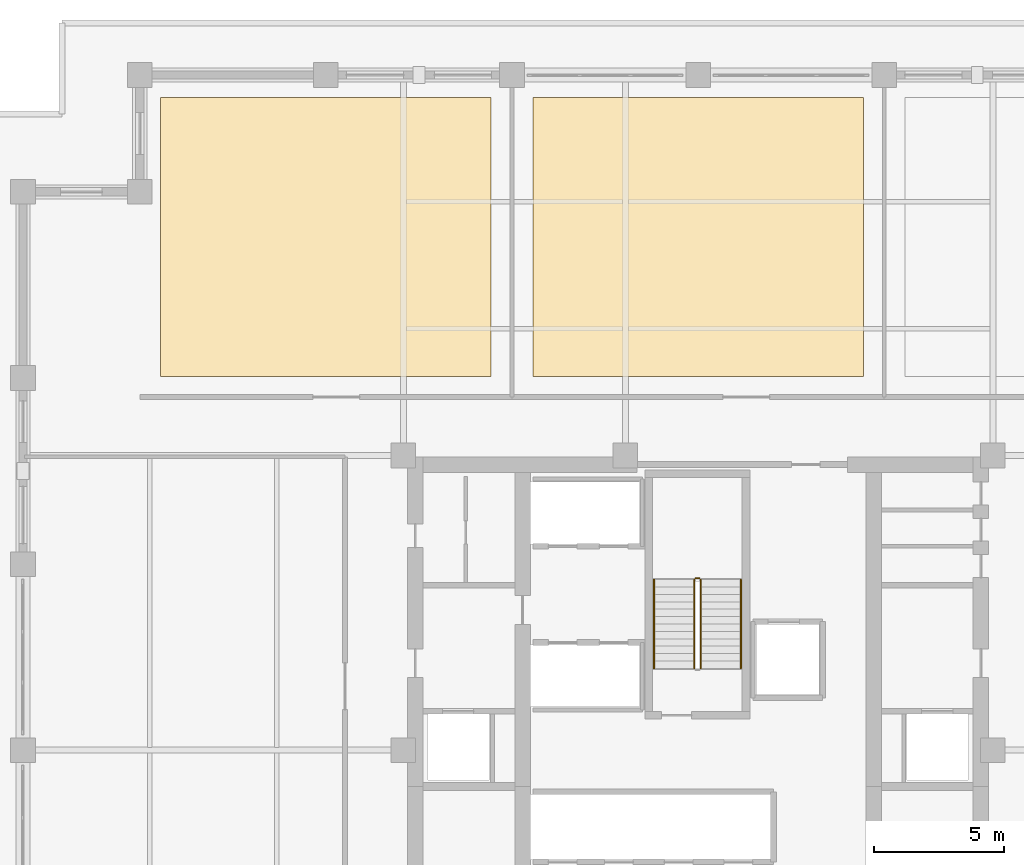
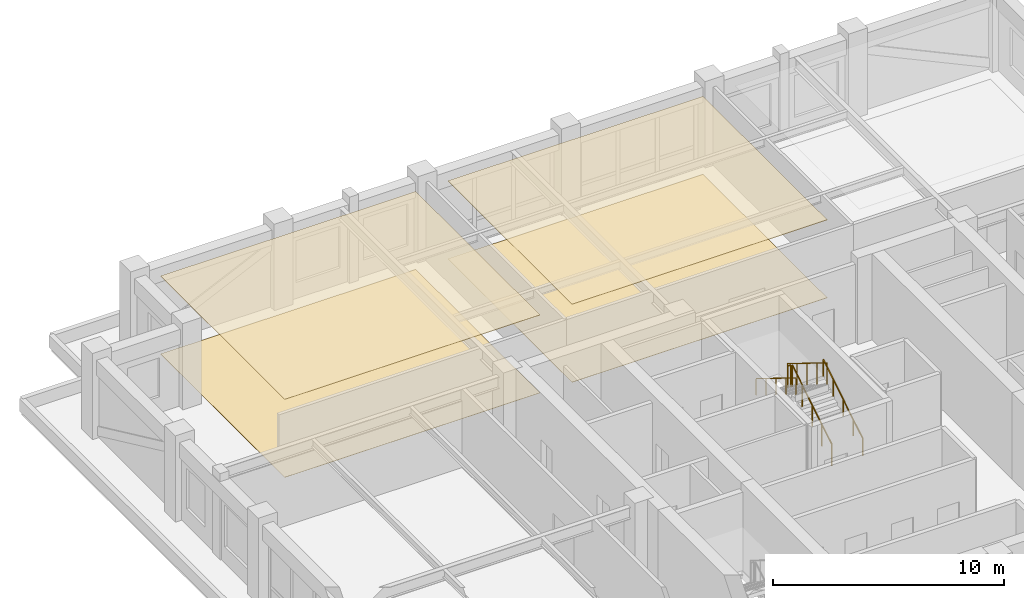
# One storey, part 15 of 16: 5 railings, 4 coverings.
"""IFC4 building model written with IfcOpenShell, lengths in metres."""

from ifc_helpers import new_model, si_unit, direction, frame, origin, origin_2d, place, context, subcontext, project, spatial, polyline, circle, outline, extrude, material, layer, layer_set, type_object, element, save


model = new_model("IFC4")

# Units and contexts
model_context = context("Model", 3, precision=1e-05, world=origin(), true_north=direction((0.0, 1.0)))
body_context = subcontext(model_context, "Body", "Model", "MODEL_VIEW")
ifc_project = project(units=[si_unit("LENGTHUNIT", "METRE"), si_unit("AREAUNIT", "SQUARE_METRE"), si_unit("VOLUMEUNIT", "CUBIC_METRE"), si_unit("PLANEANGLEUNIT", "RADIAN"), si_unit("MASSUNIT", "GRAM", prefix="KILO")], contexts=[model_context])

# Site, building, storey
site_placement = place(None, origin())
site = spatial("IfcSite", under=ifc_project, at=site_placement, CompositionType="ELEMENT")
building_placement = place(site_placement, origin())
building = spatial("IfcBuilding", under=site, at=building_placement, Name="Nhamokura Convention Tower", CompositionType="ELEMENT")
storey_placement = place(building_placement, frame((0.0, 0.0, 106.050048828125)))
storey = spatial("IfcBuildingStorey", under=building, at=storey_placement, Name="L25", CompositionType="ELEMENT", Elevation=106.050048828125)

# Coverings
ifc_material_1 = material(Name="Mineral-fibre acoustic ceiling tile", Category="gypsum")
ifc_layer_1 = layer(ifc_material_1, 0.02490234375)
ifc_layer_set_1 = layer_set([ifc_layer_1], Name="AcousticTileCeiling_25")
covering_type_1 = type_object("IfcCoveringType", Name="AcousticTileCeiling_25", PredefinedType="CEILING", material=ifc_layer_set_1)
covering_1_placement = place(storey_placement, frame((0.0, 0.0, 4.10498046875)))
element("IfcCovering", 1, at=covering_1_placement, inside=storey, type_object=covering_type_1, Name="L25 Suspended Ceiling 04", PredefinedType="CEILING", context=body_context, shape_type="SweptSolid", body=[
    extrude(outline(polyline([(11.300048828125, 46.39990234375), (24.033203125, 46.39990234375), (24.033203125, 57.139892578125), (11.300048828125, 57.139892578125), (11.300048828125, 46.39990234375)])), origin(), (0.0, 0.0, 1.0), 0.02490234375),
])
covering_2_placement = place(storey_placement, frame((0.0, 0.0, 4.10498046875)))
element("IfcCovering", 2, at=covering_2_placement, inside=storey, type_object=covering_type_1, Name="L25 Suspended Ceiling 05", PredefinedType="CEILING", context=body_context, shape_type="SweptSolid", body=[
    extrude(outline(polyline([(25.63330078125, 46.39990234375), (38.36669921875, 46.39990234375), (38.36669921875, 57.139892578125), (25.63330078125, 57.139892578125), (25.63330078125, 46.39990234375)])), origin(), (0.0, 0.0, 1.0), 0.02490234375),
])

# Railings
ifc_material_2 = material(Name="Anodised bronze stainless steel", Category="steel")
railing_type_1 = type_object("IfcRailingType", Name="StairWallHandrail_900", PredefinedType="HANDRAIL", material=ifc_material_2)
railing_1_placement = place(storey_placement, frame((33.64990234375, 35.14990234375, 0.175048828125)))
element("IfcRailing", 3, at=railing_1_placement, inside=storey, type_object=railing_type_1, Name="L25 ST-03 stair handrail 1", PredefinedType="HANDRAIL", context=body_context, shape_type="SweptSolid", body=[
    extrude(circle(Radius=0.02392578125, at=origin_2d()), frame((0.0, 0.0, 0.8759765625), z_axis=(0.0, 0.852198826108, 0.523218081473), x_axis=(-1.0, 0.0, 0.0)), (0.0, 0.0, 1.0), 4.013427734375),
    extrude(circle(Radius=0.02099609375, at=origin_2d()), origin(), (0.0, 0.0, 1.0), 0.851806640625),
    extrude(circle(Radius=0.02099609375, at=origin_2d()), frame((0.0, 0.85498046875, 0.52490234375)), (0.0, 0.0, 1.0), 0.851806640625),
    extrude(circle(Radius=0.02099609375, at=origin_2d()), frame((0.0, 1.7099609375, 1.0498046875)), (0.0, 0.0, 1.0), 0.851806640625),
    extrude(circle(Radius=0.02099609375, at=origin_2d()), frame((0.0, 2.565185546875, 1.574951171875)), (0.0, 0.0, 1.0), 0.851806640625),
    extrude(circle(Radius=0.02099609375, at=origin_2d()), frame((0.0, 3.420166015625, 2.099853515625)), (0.0, 0.0, 1.0), 0.851806640625),
])
railing_2_placement = place(storey_placement, frame((30.300048828125, 38.570068359375, 2.449951171875)))
element("IfcRailing", 4, at=railing_2_placement, inside=storey, type_object=railing_type_1, Name="L25 ST-03 stair handrail 2", PredefinedType="HANDRAIL", context=body_context, shape_type="SweptSolid", body=[
    extrude(circle(Radius=0.02392578125, at=origin_2d()), frame((0.0, 0.0, 0.8759765625), z_axis=(0.0, -0.852171701593, 0.523262258341), x_axis=(1.0, 0.0, 0.0)), (0.0, 0.0, 1.0), 4.013427734375),
    extrude(circle(Radius=0.02099609375, at=origin_2d()), origin(), (0.0, 0.0, 1.0), 0.851806640625),
    extrude(circle(Radius=0.02099609375, at=origin_2d()), frame((0.0, -0.85498046875, 0.52490234375)), (0.0, 0.0, 1.0), 0.851806640625),
    extrude(circle(Radius=0.02099609375, at=origin_2d()), frame((0.0, -1.7099609375, 1.050048828125)), (0.0, 0.0, 1.0), 0.851806640625),
    extrude(circle(Radius=0.02099609375, at=origin_2d()), frame((0.0, -2.565185546875, 1.5751953125)), (0.0, 0.0, 1.0), 0.851806640625),
    extrude(circle(Radius=0.02099609375, at=origin_2d()), frame((0.0, -3.420166015625, 2.10009765625)), (0.0, 0.0, 1.0), 0.851806640625),
])
ifc_material_3 = material(Name="Painted tubular steel", Category="steel")
railing_type_2 = type_object("IfcRailingType", Name="StairWellGuardrail_1150", PredefinedType="GUARDRAIL", material=ifc_material_3)
railing_3_placement = place(storey_placement, frame((32.10009765625, 35.14990234375, 0.175048828125)))
element("IfcRailing", 5, at=railing_3_placement, inside=storey, type_object=railing_type_2, Name="L25 ST-03 stair guard 1", PredefinedType="GUARDRAIL", context=body_context, shape_type="SweptSolid", body=[
    extrude(circle(Radius=0.02392578125, at=origin_2d()), frame((0.0, 0.0, 1.1259765625), z_axis=(0.0, 0.852198826108, 0.523218081473), x_axis=(-1.0, 0.0, 0.0)), (0.0, 0.0, 1.0), 4.013427734375),
    extrude(circle(Radius=0.02099609375, at=origin_2d()), origin(), (0.0, 0.0, 1.0), 1.101806640625),
    extrude(circle(Radius=0.02099609375, at=origin_2d()), frame((0.0, 0.85498046875, 0.52490234375)), (0.0, 0.0, 1.0), 1.101806640625),
    extrude(circle(Radius=0.02099609375, at=origin_2d()), frame((0.0, 1.7099609375, 1.0498046875)), (0.0, 0.0, 1.0), 1.101806640625),
    extrude(circle(Radius=0.02099609375, at=origin_2d()), frame((0.0, 2.565185546875, 1.574951171875)), (0.0, 0.0, 1.0), 1.101806640625),
    extrude(circle(Radius=0.02099609375, at=origin_2d()), frame((0.0, 3.420166015625, 2.099853515625)), (0.0, 0.0, 1.0), 1.101806640625),
])
railing_4_placement = place(storey_placement, frame((32.050048828125, 38.6201171875, 2.27490234375)))
element("IfcRailing", 6, at=railing_4_placement, inside=storey, type_object=railing_type_2, Name="L25 ST-03 stair guard 2", PredefinedType="GUARDRAIL", context=body_context, shape_type="SweptSolid", body=[
    extrude(circle(Radius=0.02392578125, at=origin_2d()), frame((0.0, 0.0, 1.1259765625), z_axis=(-1.0, 0.0, 0.0), x_axis=(0.0, -1.0, 0.0)), (0.0, 0.0, 1.0), 0.150146484375),
    extrude(circle(Radius=0.02099609375, at=origin_2d()), origin(), (0.0, 0.0, 1.0), 1.101806640625),
    extrude(circle(Radius=0.02099609375, at=origin_2d()), frame((-0.150146484375, 0.0, 0.0)), (0.0, 0.0, 1.0), 1.101806640625),
])
railing_5_placement = place(storey_placement, frame((31.85009765625, 38.570068359375, 2.449951171875)))
element("IfcRailing", 7, at=railing_5_placement, inside=storey, type_object=railing_type_2, Name="L25 ST-03 stair guard 3", PredefinedType="GUARDRAIL", context=body_context, shape_type="SweptSolid", body=[
    extrude(circle(Radius=0.02392578125, at=origin_2d()), frame((0.0, 0.0, 1.1259765625), z_axis=(0.0, -0.852171701593, 0.523262258341), x_axis=(1.0, 0.0, 0.0)), (0.0, 0.0, 1.0), 4.013427734375),
    extrude(circle(Radius=0.02099609375, at=origin_2d()), origin(), (0.0, 0.0, 1.0), 1.101806640625),
    extrude(circle(Radius=0.02099609375, at=origin_2d()), frame((0.0, -0.85498046875, 0.52490234375)), (0.0, 0.0, 1.0), 1.101806640625),
    extrude(circle(Radius=0.02099609375, at=origin_2d()), frame((0.0, -1.7099609375, 1.050048828125)), (0.0, 0.0, 1.0), 1.101806640625),
    extrude(circle(Radius=0.02099609375, at=origin_2d()), frame((0.0, -2.565185546875, 1.5751953125)), (0.0, 0.0, 1.0), 1.101806640625),
    extrude(circle(Radius=0.02099609375, at=origin_2d()), frame((0.0, -3.420166015625, 2.10009765625)), (0.0, 0.0, 1.0), 1.101806640625),
])

# Coverings
ifc_material_4 = material(Name="Acoustic woven hospitality carpet", Category="wood")
ifc_layer_2 = layer(ifc_material_4, 0.014892578125)
ifc_layer_set_2 = layer_set([ifc_layer_2], Name="WovenCarpetFlooring_15")
covering_type_2 = type_object("IfcCoveringType", Name="WovenCarpetFlooring_15", PredefinedType="FLOORING", material=ifc_layer_set_2)
covering_3_placement = place(storey_placement, origin())
element("IfcCovering", 8, at=covering_3_placement, inside=storey, type_object=covering_type_2, Name="L25 Finish Flooring 04", PredefinedType="FLOORING", context=body_context, shape_type="SweptSolid", body=[
    extrude(outline(polyline([(11.300048828125, 46.39990234375), (24.033203125, 46.39990234375), (24.033203125, 57.139892578125), (11.300048828125, 57.139892578125), (11.300048828125, 46.39990234375)])), origin(), (0.0, 0.0, 1.0), 0.014892578125),
])
covering_4_placement = place(storey_placement, origin())
element("IfcCovering", 9, at=covering_4_placement, inside=storey, type_object=covering_type_2, Name="L25 Finish Flooring 05", PredefinedType="FLOORING", context=body_context, shape_type="SweptSolid", body=[
    extrude(outline(polyline([(25.63330078125, 46.39990234375), (38.36669921875, 46.39990234375), (38.36669921875, 57.139892578125), (25.63330078125, 57.139892578125), (25.63330078125, 46.39990234375)])), origin(), (0.0, 0.0, 1.0), 0.014892578125),
])

save(model, "model.ifc")
